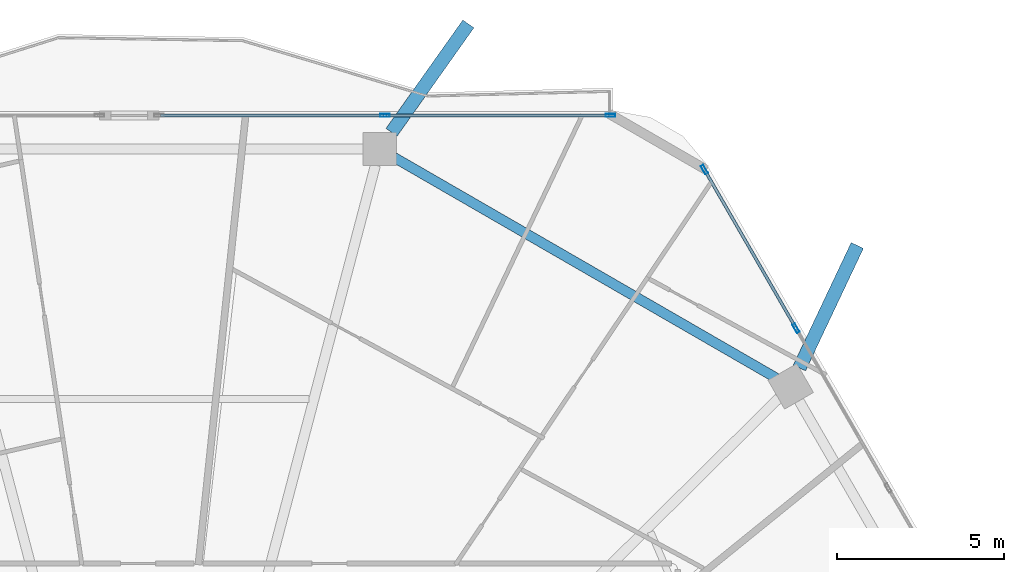
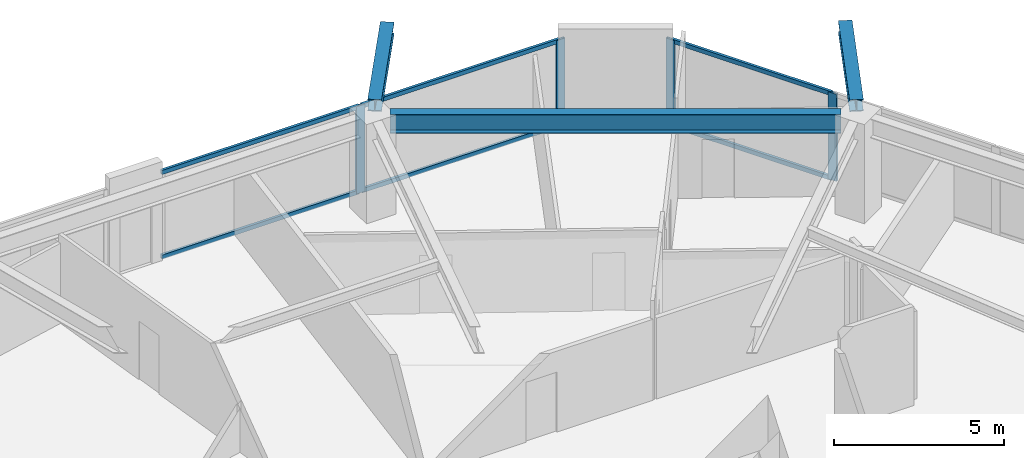
# One storey, part 17 of 27: 10 members, 3 beams, 2 elements without a shape of their own.
"""IFC4 building model written with IfcOpenShell, lengths in metres."""

import ifcopenshell
import ifcopenshell.guid

model = None  # the IFC model being written
_history = None  # IfcOwnerHistory: only IFC2X3 demands one
_inside = {}  # id of a spatial element -> (the spatial element, [elements in it])
_under = {}  # id of a project, library or spatial element -> (it, [spatial elements below it])
_declared = {}  # id of a project -> (the project, [libraries it declares])
_typed = {}  # id of a type object -> (the type object, [elements of that type])
_made_of = {}  # id of a material, layer set ... -> (it, [elements and type objects made of it])


def new_model(schema):
    """Start an empty IFC model of exactly this schema.

    Asked for "IFC4X3", IfcOpenShell would pick the latest addendum, in which some entities
    have other attributes; the version numbers below select the first issue.
    IFC2X3 requires an IfcOwnerHistory on every rooted entity: one is made here for all.
    """
    global model, _history
    if schema == "IFC4X3":
        model = ifcopenshell.file(schema_version=(4, 3, 0, 0))
    else:
        model = ifcopenshell.file(schema=schema)
    _inside.clear()
    _under.clear()
    _declared.clear()
    _typed.clear()
    _made_of.clear()
    _history = None
    if model.schema == "IFC2X3":
        org = make("IfcOrganization", Name="unknown")
        user = make(
            "IfcPersonAndOrganization",
            ThePerson=make("IfcPerson", FamilyName="unknown"),
            TheOrganization=org,
        )
        app = make(
            "IfcApplication",
            ApplicationDeveloper=org,
            Version="unknown",
            ApplicationFullName="unknown",
            ApplicationIdentifier="unknown",
        )
        _history = make(
            "IfcOwnerHistory",
            OwningUser=user,
            OwningApplication=app,
            ChangeAction="ADDED",
            CreationDate=0,
        )
    return model


def make(cls, **values):
    """One entity of the class cls with the attributes given. An attribute that is None is left unset."""
    return model.create_entity(
        cls, **{name: value for name, value in values.items() if value is not None}
    )


def rooted(cls, **values):
    """An entity with a GlobalId (a new one), such as an element, a storey or a relation."""
    return make(cls, GlobalId=ifcopenshell.guid.new(), OwnerHistory=_history, **values)


def si_unit(unit_type, name, prefix=None):
    """IfcSIUnit, for example si_unit("LENGTHUNIT", "METRE", prefix="MILLI")."""
    return make("IfcSIUnit", UnitType=unit_type, Prefix=prefix, Name=name)


def assignment(units):
    """IfcUnitAssignment: the units of a project."""
    return None if units is None else make("IfcUnitAssignment", Units=units)


def point(xyz):
    """IfcCartesianPoint."""
    return None if xyz is None else make("IfcCartesianPoint", Coordinates=xyz)


def direction(xyz):
    """IfcDirection."""
    return None if xyz is None else make("IfcDirection", DirectionRatios=xyz)


def frame(location, z_axis=None, x_axis=None):
    """IfcAxis2Placement3D, a coordinate frame: its origin and axes. An axis left out is left unset."""
    return make(
        "IfcAxis2Placement3D",
        Location=point(location),
        Axis=direction(z_axis),
        RefDirection=direction(x_axis),
    )


def frame_2d(location, x_axis=None):
    """IfcAxis2Placement2D, a coordinate frame in the plane: its origin and x axis."""
    return make(
        "IfcAxis2Placement2D", Location=point(location), RefDirection=direction(x_axis)
    )


def origin():
    """The frame at (0, 0, 0) with its axes left unset."""
    return frame((0.0, 0.0, 0.0))


def origin_2d():
    """The frame at (0, 0) in the plane with its x axis left unset."""
    return frame_2d((0.0, 0.0))


def place(relative_to, where):
    """IfcLocalPlacement: puts the frame where relative to a parent placement (None: the world)."""
    return make(
        "IfcLocalPlacement", PlacementRelTo=relative_to, RelativePlacement=where
    )


def context(
    kind, dimensions, precision=None, world=None, true_north=None, identifier=None
):
    """IfcGeometricRepresentationContext, for example the 3D "Model" context."""
    return make(
        "IfcGeometricRepresentationContext",
        ContextIdentifier=identifier,
        ContextType=kind,
        CoordinateSpaceDimension=dimensions,
        Precision=precision,
        WorldCoordinateSystem=world,
        TrueNorth=true_north,
    )


def subcontext(parent, identifier, kind, view, scale=None):
    """IfcGeometricRepresentationSubContext, for example "Body" below "Model"."""
    return make(
        "IfcGeometricRepresentationSubContext",
        ContextIdentifier=identifier,
        ContextType=kind,
        ParentContext=parent,
        TargetScale=scale,
        TargetView=view,
    )


def project(units=None, contexts=None):
    """IfcProject with its units and contexts."""
    return rooted(
        "IfcProject",
        Name="project",
        RepresentationContexts=contexts,
        UnitsInContext=assignment(units),
    )


def spatial(cls, under=None, at=None, **own):
    """A site, building, storey or space (cls), placed at a placement, below another one or the project."""
    s = rooted(cls, ObjectPlacement=at, **own)
    if under is not None:
        _under.setdefault(under.id(), (under, []))[1].append(s)
    return s


def profile(cls, at=None, kind="AREA", **sizes):
    """A parametric profile (cls). Its sizes go by their IFC names, for example OverallWidth=200.0."""
    return make(cls, ProfileType=kind, Position=at, **sizes)


def hollow_rectangle(**sizes):
    """IfcRectangleHollowProfileDef."""
    return profile("IfcRectangleHollowProfileDef", **sizes)


def i_section(**sizes):
    """IfcIShapeProfileDef."""
    return profile("IfcIShapeProfileDef", **sizes)


def extrude(swept, where, along, depth):
    """IfcExtrudedAreaSolid: the profile swept, set in the frame where, extruded along a direction by depth."""
    return make(
        "IfcExtrudedAreaSolid",
        SweptArea=swept,
        Position=where,
        ExtrudedDirection=direction(along),
        Depth=depth,
    )


def shape(context_of_items, identifier, shape_type, items):
    """IfcShapeRepresentation: the items that make up one representation, for example the "Body"."""
    return make(
        "IfcShapeRepresentation",
        ContextOfItems=context_of_items,
        RepresentationIdentifier=identifier,
        RepresentationType=shape_type,
        Items=items,
    )


def material(Name=None, Category=None):
    """IfcMaterial."""
    return make("IfcMaterial", Name=Name, Category=Category)


def material_profile(
    of_material, cross_section, Name=None, Category=None, Priority=None
):
    """IfcMaterialProfile: a cross section and its material."""
    return make(
        "IfcMaterialProfile",
        Name=Name,
        Material=of_material,
        Profile=cross_section,
        Priority=Priority,
        Category=Category,
    )


def profile_set(profiles, Name=None, composite=None):
    """IfcMaterialProfileSet."""
    return make(
        "IfcMaterialProfileSet",
        Name=Name,
        MaterialProfiles=profiles,
        CompositeProfile=composite,
    )


def made_of(thing, what):
    """Note that an element or type object is made of a material, layer set ...; save() writes the relation."""
    if what is not None:
        _made_of.setdefault(what.id(), (what, []))[1].append(thing)
    return thing


def type_object(cls, material=None, **own):
    """A type object (cls), such as IfcWallType, which elements share."""
    return made_of(rooted(cls, **own), material)


def element(
    cls,
    number,
    at=None,
    inside=None,
    cuts=None,
    type_object=None,
    material=None,
    context=None,
    identifier="Body",
    shape_type=None,
    held_by="IfcProductDefinitionShape",
    body=None,
    shapes=None,
    **own,
):
    """One element of the class cls, such as IfcWall. Its Tag is "e" and its number.

    at: its placement. inside: the storey or other place that contains it. cuts: it is an
    opening in that element (IfcRelVoidsElement). A single representation is given by context,
    identifier, shape_type and body (its items); several are given by shapes. held_by: the class
    of the entity that holds the representations. save() writes the other relations.
    """
    e = rooted(cls, Tag="e%d" % number, ObjectPlacement=at, **own)
    if body is not None:
        shapes = [shape(context, identifier, shape_type, body)]
    if shapes is not None:
        e.Representation = make(held_by, Representations=shapes)
    if inside is not None:
        _inside.setdefault(inside.id(), (inside, []))[1].append(e)
    if cuts is not None:
        rooted(
            "IfcRelVoidsElement", RelatingBuildingElement=cuts, RelatedOpeningElement=e
        )
    if type_object is not None:
        _typed.setdefault(type_object.id(), (type_object, []))[1].append(e)
    return made_of(e, material)


def aggregate(whole, parts):
    """IfcRelAggregates: a whole, such as a stair, and the parts it consists of."""
    return rooted("IfcRelAggregates", RelatingObject=whole, RelatedObjects=parts)


def save(model, path):
    """Write the relations noted so far, then the file.

    IfcRelAggregates (storeys below a building ...), IfcRelContainedInSpatialStructure (elements
    in a storey), IfcRelDefinesByType, IfcRelAssociatesMaterial and IfcRelDeclares: one each for
    every whole, place, type object, material and project.
    """
    for whole, parts in _under.values():
        aggregate(whole, parts)
    for where, things in _inside.values():
        rooted(
            "IfcRelContainedInSpatialStructure",
            RelatedElements=things,
            RelatingStructure=where,
        )
    for kind, things in _typed.values():
        rooted("IfcRelDefinesByType", RelatedObjects=things, RelatingType=kind)
    for what, things in _made_of.values():
        rooted("IfcRelAssociatesMaterial", RelatedObjects=things, RelatingMaterial=what)
    for by, libraries in _declared.values():
        rooted("IfcRelDeclares", RelatingContext=by, RelatedDefinitions=libraries)
    model.write(path)


model = new_model("IFC4")

# Units and contexts
model_context = context("Model", 3, precision=1e-05, world=origin(), true_north=direction((0.0, 1.0)))
body_context = subcontext(model_context, "Body", "Model", "MODEL_VIEW")
ifc_project = project(units=[si_unit("LENGTHUNIT", "METRE"), si_unit("AREAUNIT", "SQUARE_METRE"), si_unit("VOLUMEUNIT", "CUBIC_METRE"), si_unit("PLANEANGLEUNIT", "RADIAN"), si_unit("MASSUNIT", "GRAM", prefix="KILO")], contexts=[model_context])

# Site, building, storey
site_placement = place(None, origin())
site = spatial("IfcSite", under=ifc_project, at=site_placement, CompositionType="ELEMENT")
building_placement = place(site_placement, origin())
building = spatial("IfcBuilding", under=site, at=building_placement, Name="Zuhravey Tower", CompositionType="ELEMENT")
storey_placement = place(building_placement, frame((0.0, 0.0, 173.199951171875)))
storey = spatial("IfcBuildingStorey", under=building, at=storey_placement, Name="L43", CompositionType="ELEMENT", Elevation=173.199951171875)

# Curtain wall, members
ifc_material_1 = material(Name="Thermally broken anodised aluminium", Category="aluminium")
curtain_wall_type = type_object("IfcCurtainWallType", Name="Zone 1-2 Residential Curtain Wall CW3", PredefinedType="NOTDEFINED", material=ifc_material_1)
curtain_wall_1_placement = place(storey_placement, origin())
curtain_wall_1 = element("IfcCurtainWall", 1, at=curtain_wall_1_placement, inside=storey, type_object=curtain_wall_type, Name="L43 CW3 CW-L43-F2-2", PredefinedType="NOTDEFINED")
ifc_material_2 = material(Name="Anodised aluminium", Category="aluminium")
ifc_material_profile_1 = material_profile(ifc_material_2, hollow_rectangle(XDim=0.090087890625, YDim=0.284912109375, WallThickness=0.0048828125, at=origin_2d()), Name="ALU-RHS-90x285x5")
ifc_profile_set_1 = profile_set([ifc_material_profile_1], Name="Anodised aluminium")
member_type_1 = type_object("IfcMemberType", Name="Curtain-Wall Mullion 90x180", PredefinedType="MULLION", material=ifc_profile_set_1)
member_1_placement = place(storey_placement, frame((43.037109375, 59.18310546875, 0.0), z_axis=(0.0, 0.0, 1.0), x_axis=(0.0, 1.0, 0.0)))
member_1 = element("IfcMember", 2, at=member_1_placement, type_object=member_type_1, Name="CW3 mullion 2", PredefinedType="MULLION", context=body_context, shape_type="SweptSolid", body=[
    extrude(hollow_rectangle(XDim=0.090087890625, YDim=0.284912109375, WallThickness=0.0048828125, at=origin_2d()), origin(), (0.0, 0.0, 1.0), 3.1220703125),
])
member_2_placement = place(storey_placement, frame((49.816162109375, 59.18310546875, 0.0), z_axis=(0.0, 0.0, 1.0), x_axis=(0.0, 1.0, 0.0)))
member_2 = element("IfcMember", 3, at=member_2_placement, type_object=member_type_1, Name="CW3 mullion 3", PredefinedType="MULLION", context=body_context, shape_type="SweptSolid", body=[
    extrude(hollow_rectangle(XDim=0.090087890625, YDim=0.284912109375, WallThickness=0.0048828125, at=origin_2d()), origin(), (0.0, 0.0, 1.0), 3.1220703125),
])

curtain_wall_2_placement = place(storey_placement, origin())
curtain_wall_2 = element("IfcCurtainWall", 4, at=curtain_wall_2_placement, inside=storey, type_object=curtain_wall_type, Name="L43 CW3 CW-L43-F1-1", PredefinedType="NOTDEFINED")
member_3_placement = place(storey_placement, frame((52.63330078125, 57.556640625, 0.0), z_axis=(0.0, 0.0, 1.0), x_axis=(0.866025138215, 0.500000459979, 0.0)))
member_3 = element("IfcMember", 5, at=member_3_placement, type_object=member_type_1, Name="CW3 mullion 1", PredefinedType="MULLION", context=body_context, shape_type="SweptSolid", body=[
    extrude(hollow_rectangle(XDim=0.090087890625, YDim=0.284912109375, WallThickness=0.0048828125, at=origin_2d()), origin(), (0.0, 0.0, 1.0), 3.1220703125),
])
member_4_placement = place(storey_placement, frame((55.3828125, 52.7939453125, 0.0), z_axis=(0.0, 0.0, 1.0), x_axis=(0.866025138215, 0.500000459979, 0.0)))
member_4 = element("IfcMember", 6, at=member_4_placement, type_object=member_type_1, Name="CW3 mullion 2", PredefinedType="MULLION", context=body_context, shape_type="SweptSolid", body=[
    extrude(hollow_rectangle(XDim=0.090087890625, YDim=0.284912109375, WallThickness=0.0048828125, at=origin_2d()), origin(), (0.0, 0.0, 1.0), 3.1220703125),
])

# Member
ifc_material_profile_2 = material_profile(ifc_material_2, hollow_rectangle(XDim=0.090087890625, YDim=0.14990234375, WallThickness=0.0048828125, at=origin_2d()), Name="ALU-RHS-90x150x5")
ifc_profile_set_2 = profile_set([ifc_material_profile_2], Name="Anodised aluminium")
member_type_2 = type_object("IfcMemberType", Name="Curtain-Wall Transom 90x150", PredefinedType="USERDEFINED", material=ifc_profile_set_2)
member_5_placement = place(storey_placement, frame((36.302978515625, 59.18310546875, 0.045166015625), z_axis=(1.0, 0.0, 0.0), x_axis=(0.0, 1.0, 0.0)))
member_5 = element("IfcMember", 7, at=member_5_placement, type_object=member_type_2, Name="CW3 transom 1.1", ObjectType="TRANSOM", PredefinedType="USERDEFINED", context=body_context, shape_type="SweptSolid", body=[
    extrude(hollow_rectangle(XDim=0.090087890625, YDim=0.14990234375, WallThickness=0.0048828125, at=origin_2d()), origin(), (0.0, 0.0, 1.0), 6.689208984375),
])

member_6_placement = place(storey_placement, frame((36.302978515625, 59.18310546875, 3.0771484375), z_axis=(1.0, 0.0, 0.0), x_axis=(0.0, 1.0, 0.0)))
member_6 = element("IfcMember", 8, at=member_6_placement, type_object=member_type_2, Name="CW3 transom 1.2", ObjectType="TRANSOM", PredefinedType="USERDEFINED", context=body_context, shape_type="SweptSolid", body=[
    extrude(hollow_rectangle(XDim=0.090087890625, YDim=0.14990234375, WallThickness=0.0048828125, at=origin_2d()), origin(), (0.0, 0.0, 1.0), 6.689208984375),
])

member_7_placement = place(storey_placement, frame((43.08203125, 59.18310546875, 0.045166015625), z_axis=(1.0, 0.0, 0.0), x_axis=(0.0, 1.0, 0.0)))
member_7 = element("IfcMember", 9, at=member_7_placement, type_object=member_type_2, Name="CW3 transom 2.1", ObjectType="TRANSOM", PredefinedType="USERDEFINED", context=body_context, shape_type="SweptSolid", body=[
    extrude(hollow_rectangle(XDim=0.090087890625, YDim=0.14990234375, WallThickness=0.0048828125, at=origin_2d()), origin(), (0.0, 0.0, 1.0), 6.68896484375),
])

member_8_placement = place(storey_placement, frame((43.08203125, 59.18310546875, 3.0771484375), z_axis=(1.0, 0.0, 0.0), x_axis=(0.0, 1.0, 0.0)))
member_8 = element("IfcMember", 10, at=member_8_placement, type_object=member_type_2, Name="CW3 transom 2.2", ObjectType="TRANSOM", PredefinedType="USERDEFINED", context=body_context, shape_type="SweptSolid", body=[
    extrude(hollow_rectangle(XDim=0.090087890625, YDim=0.14990234375, WallThickness=0.0048828125, at=origin_2d()), origin(), (0.0, 0.0, 1.0), 6.68896484375),
])

aggregate(curtain_wall_1, [member_1, member_2, member_5, member_6, member_7, member_8])

member_9_placement = place(storey_placement, frame((52.65576171875, 57.517578125, 0.045166015625), z_axis=(0.499993332629, -0.866029253159, 0.0), x_axis=(0.866029253159, 0.499993332629, 0.0)))
member_9 = element("IfcMember", 11, at=member_9_placement, type_object=member_type_2, Name="CW3 transom 1.1", ObjectType="TRANSOM", PredefinedType="USERDEFINED", context=body_context, shape_type="SweptSolid", body=[
    extrude(hollow_rectangle(XDim=0.090087890625, YDim=0.14990234375, WallThickness=0.0048828125, at=origin_2d()), origin(), (0.0, 0.0, 1.0), 5.4091796875),
])

member_10_placement = place(storey_placement, frame((52.65576171875, 57.517578125, 3.0771484375), z_axis=(0.499993332629, -0.866029253159, 0.0), x_axis=(0.866029253159, 0.499993332629, 0.0)))
member_10 = element("IfcMember", 12, at=member_10_placement, type_object=member_type_2, Name="CW3 transom 1.2", ObjectType="TRANSOM", PredefinedType="USERDEFINED", context=body_context, shape_type="SweptSolid", body=[
    extrude(hollow_rectangle(XDim=0.090087890625, YDim=0.14990234375, WallThickness=0.0048828125, at=origin_2d()), origin(), (0.0, 0.0, 1.0), 5.4091796875),
])

aggregate(curtain_wall_2, [member_3, member_4, member_9, member_10])

# Beams
ifc_material_3 = material(Name="Steel SM460", Category="steel")
ifc_material_profile_3 = material_profile(ifc_material_3, i_section(OverallWidth=0.406982421875, OverallDepth=0.427978515625, WebThickness=0.02001953125, FlangeThickness=0.034912109375, at=origin_2d()), Name="H-428x407x20x35")
ifc_profile_set_3 = profile_set([ifc_material_profile_3], Name="Steel SM460")
beam_type_1 = type_object("IfcBeamType", Name="Exoskeleton Node Tie Beam H428x407", PredefinedType="BEAM", material=ifc_profile_set_3)
beam_1_placement = place(storey_placement, frame((55.487060546875, 51.60009765625, 3.3359375), z_axis=(0.427371589923, 0.90407606103, 0.0), x_axis=(-0.90407606103, 0.427371589923, 0.0)))
element("IfcBeam", 13, at=beam_1_placement, inside=storey, type_object=beam_type_1, Name="L43 Exoskeleton Node Tie NT1-02", PredefinedType="BEAM", context=body_context, shape_type="SweptSolid", body=[
    extrude(i_section(OverallWidth=0.406982421875, OverallDepth=0.427978515625, WebThickness=0.02001953125, FlangeThickness=0.034912109375, at=origin_2d()), origin(), (0.0, 0.0, 1.0), 4.06787109375),
])
beam_2_placement = place(storey_placement, frame((43.23876953125, 58.67626953125, 3.3359375), z_axis=(0.578392499994, 0.815758613777, 0.0), x_axis=(-0.815758613777, 0.578392499994, 0.0)))
element("IfcBeam", 14, at=beam_2_placement, inside=storey, type_object=beam_type_1, Name="L43 Exoskeleton Node Tie NT1-03", PredefinedType="BEAM", context=body_context, shape_type="SweptSolid", body=[
    extrude(i_section(OverallWidth=0.406982421875, OverallDepth=0.427978515625, WebThickness=0.02001953125, FlangeThickness=0.034912109375, at=origin_2d()), origin(), (0.0, 0.0, 1.0), 3.98974609375),
])
ifc_material_4 = material(Name="Steel SM355", Category="steel")
ifc_material_profile_4 = material_profile(ifc_material_4, i_section(OverallWidth=0.300048828125, OverallDepth=0.679931640625, WebThickness=0.012939453125, FlangeThickness=0.02197265625, at=origin_2d()), Name="H-680x300x13x22")
ifc_profile_set_4 = profile_set([ifc_material_profile_4], Name="Steel SM355")
beam_type_2 = type_object("IfcBeamType", Name="Perimeter Ring Beam H680x300", PredefinedType="BEAM", material=ifc_profile_set_4)
beam_3_placement = place(storey_placement, frame((54.789794921875, 51.298095703125, 3.2099609375), z_axis=(-0.866022923061, 0.500004296715, 0.0), x_axis=(-0.500004296715, -0.866022923061, 0.0)))
element("IfcBeam", 15, at=beam_3_placement, inside=storey, type_object=beam_type_2, Name="L43 PB2 BM-L43-PB-02", PredefinedType="BEAM", context=body_context, shape_type="SweptSolid", body=[
    extrude(i_section(OverallWidth=0.300048828125, OverallDepth=0.679931640625, WebThickness=0.012939453125, FlangeThickness=0.02197265625, at=origin_2d()), origin(), (0.0, 0.0, 1.0), 13.2470703125),
])

save(model, "model.ifc")
